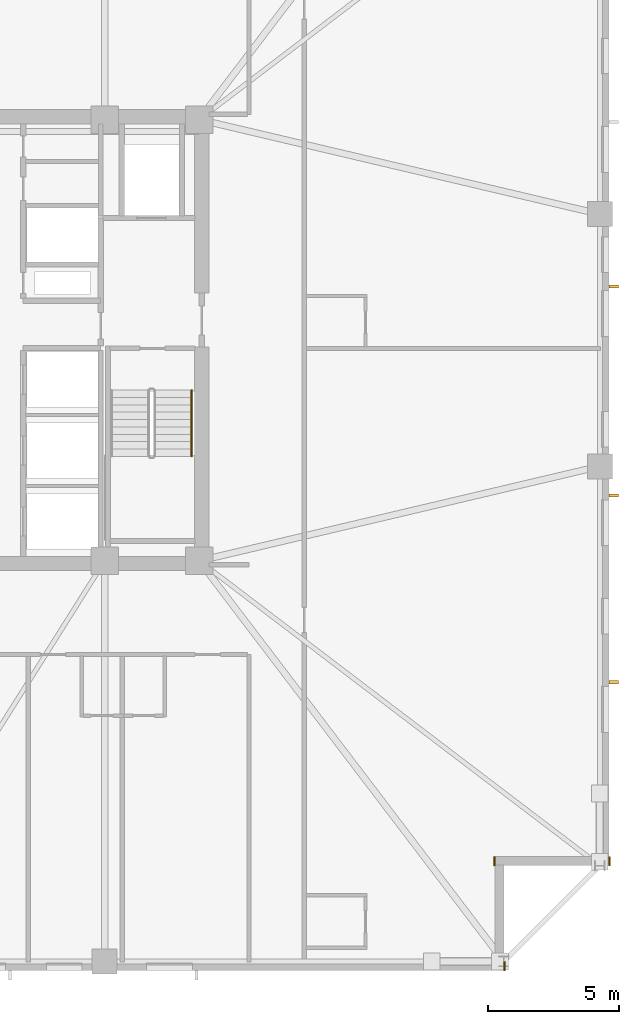
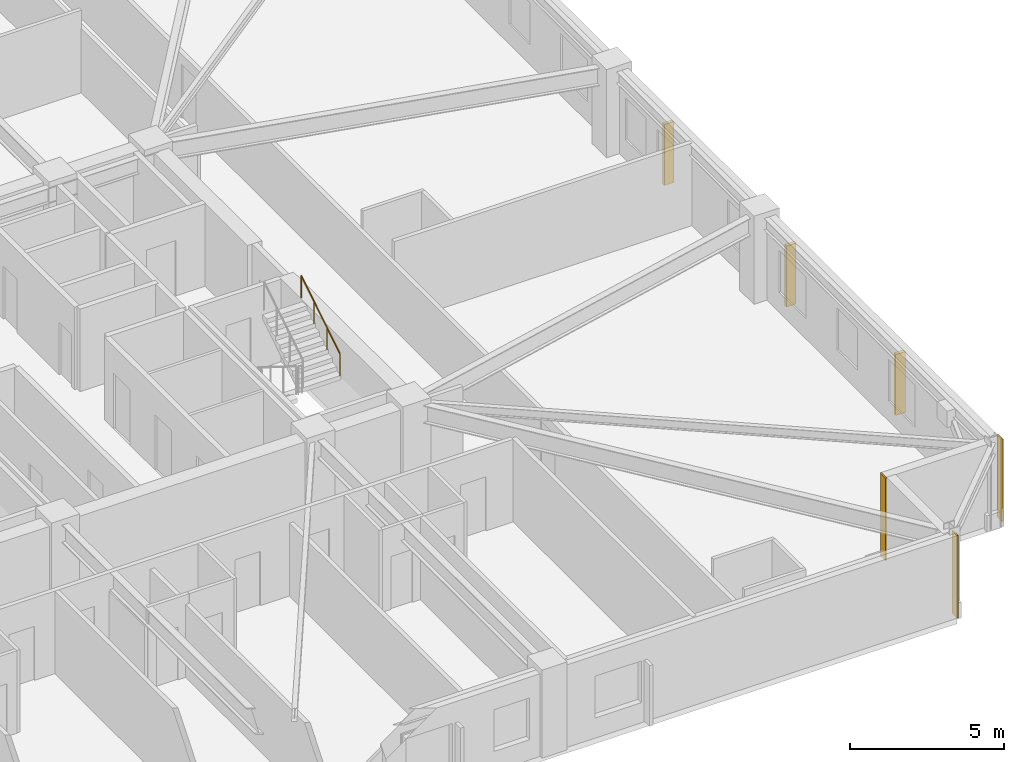
# One storey, part 9 of 11: 3 coverings, 3 shading devices, 1 railing.
"""IFC4 building model written with IfcOpenShell, lengths in metres."""

from ifc_helpers import new_model, si_unit, direction, frame, frame_2d, origin, origin_2d, place, context, subcontext, project, spatial, rectangle, circle, extrude, material, layer, layer_set, type_object, element, save


model = new_model("IFC4")

# Units and contexts
model_context = context("Model", 3, precision=1e-05, world=origin(), true_north=direction((0.0, 1.0)))
body_context = subcontext(model_context, "Body", "Model", "MODEL_VIEW")
ifc_project = project(units=[si_unit("LENGTHUNIT", "METRE"), si_unit("AREAUNIT", "SQUARE_METRE"), si_unit("VOLUMEUNIT", "CUBIC_METRE"), si_unit("PLANEANGLEUNIT", "RADIAN"), si_unit("MASSUNIT", "GRAM", prefix="KILO")], contexts=[model_context])

# Site, building, storey
site_placement = place(None, origin())
site = spatial("IfcSite", under=ifc_project, at=site_placement, CompositionType="ELEMENT")
building_placement = place(site_placement, origin())
building = spatial("IfcBuilding", under=site, at=building_placement, Name="Cairnveth Concourse Tower", CompositionType="ELEMENT")
storey_placement = place(building_placement, frame((0.0, 0.0, 123.5)))
storey = spatial("IfcBuildingStorey", under=building, at=storey_placement, Name="L33", CompositionType="ELEMENT", Elevation=123.5)

# Coverings
ifc_material_1 = material(Name="Dressed Melbourne Bluestone Cladding", Category="masonry")
ifc_layer = layer(ifc_material_1, 0.050048828125)
ifc_layer_set = layer_set([ifc_layer], Name="Dressed Melbourne Bluestone Cladding")
covering_type = type_object("IfcCoveringType", Name="DRESSED BLUESTONE PLINTH CLADDING 50", PredefinedType="CLADDING", material=ifc_layer_set)
for number, where, z_axis, x_axis, name in (
    (1, (76.02001953125, 19.340087890625, 0.0), (0.0, 0.0, 1.0), (0.0, -1.0, 0.0), "Melbourne Bluestone Corner Quoin L33-474"),
    (2, (71.639892578125, 19.340087890625, 0.0), (0.0, 0.0, 1.0), (0.0, -1.0, 0.0), "Melbourne Bluestone Corner Quoin L33-475"),
    (3, (72.02001953125, 15.340087890625, 0.0), (0.0, 0.0, 1.0), (0.0, -1.0, 0.0), "Melbourne Bluestone Corner Quoin L33-476"),
):
    element("IfcCovering", number, at=place(storey_placement, frame(where, z_axis=z_axis, x_axis=x_axis)), inside=storey, type_object=covering_type, Name=name, PredefinedType="CLADDING", context=body_context, shape_type="SweptSolid", body=[
        extrude(rectangle(XDim=0.340087890625, YDim=0.050048828125, at=frame_2d((0.169921875, 0.0))), origin(), (0.0, 0.0, 1.0), 3.280029296875),
    ])

# Shading devices
ifc_material_2 = material(Name="Architectural Bronze Anodised Aluminium 6063-T6", Category="aluminium")
shading_device_type = type_object("IfcShadingDeviceType", Name="GOTHIC BRONZE VERTICAL LANCET FIN", PredefinedType="USERDEFINED", material=ifc_material_2)
for number, where, z_axis, x_axis, name in (
    (4, (76.175048828125, 41.0439453125, 0.030029296875), (0.0, 0.0, 1.0), (0.0, 1.0, 0.0), "Gothic Bronze Vertical Fin L33-6-5"),
    (5, (76.175048828125, 33.0869140625, 0.030029296875), (0.0, 0.0, 1.0), (0.0, 1.0, 0.0), "Gothic Bronze Vertical Fin L33-6-7"),
    (6, (76.175048828125, 25.979736328125, 0.030029296875), (0.0, 0.0, 1.0), (0.0, 1.0, 0.0), "Gothic Bronze Vertical Fin L33-6-9"),
):
    element("IfcShadingDevice", number, at=place(storey_placement, frame(where, z_axis=z_axis, x_axis=x_axis)), inside=storey, type_object=shading_device_type, Name=name, ObjectType="VERTICAL FIN", PredefinedType="USERDEFINED", context=body_context, shape_type="SweptSolid", body=[
        extrude(rectangle(XDim=0.1201171875, YDim=0.360107421875, at=origin_2d()), origin(), (0.0, 0.0, 1.0), 2.419921875),
    ])

# Railing
ifc_material_3 = material(Name="Steel Grade 350", Category="steel")
railing_type = type_object("IfcRailingType", Name="STAIR WALL HANDRAIL 900", PredefinedType="HANDRAIL", material=ifc_material_3)
railing_placement = place(storey_placement, frame((60.110107421875, 34.580078125, 1.925048828125)))
element("IfcRailing", 7, at=railing_placement, inside=storey, type_object=railing_type, Name="L33 ST-2 stair handrail 2", PredefinedType="HANDRAIL", context=body_context, shape_type="SweptSolid", body=[
    extrude(circle(Radius=0.02392578125, at=origin_2d()), frame((0.0, 0.0, 0.8759765625), z_axis=(0.0, 0.848007534815, 0.529984170421), x_axis=(-1.0, 0.0, 0.0)), (0.0, 0.0, 1.0), 2.9716796875),
    extrude(circle(Radius=0.02099609375, at=origin_2d()), origin(), (0.0, 0.0, 1.0), 0.851806640625),
    extrude(circle(Radius=0.02099609375, at=origin_2d()), frame((0.0, 0.840087890625, 0.52490234375)), (0.0, 0.0, 1.0), 0.851806640625),
    extrude(circle(Radius=0.02099609375, at=origin_2d()), frame((0.0, 1.679931640625, 1.050048828125)), (0.0, 0.0, 1.0), 0.851806640625),
    extrude(circle(Radius=0.02099609375, at=origin_2d()), frame((0.0, 2.52001953125, 1.574951171875)), (0.0, 0.0, 1.0), 0.851806640625),
])

save(model, "model.ifc")
